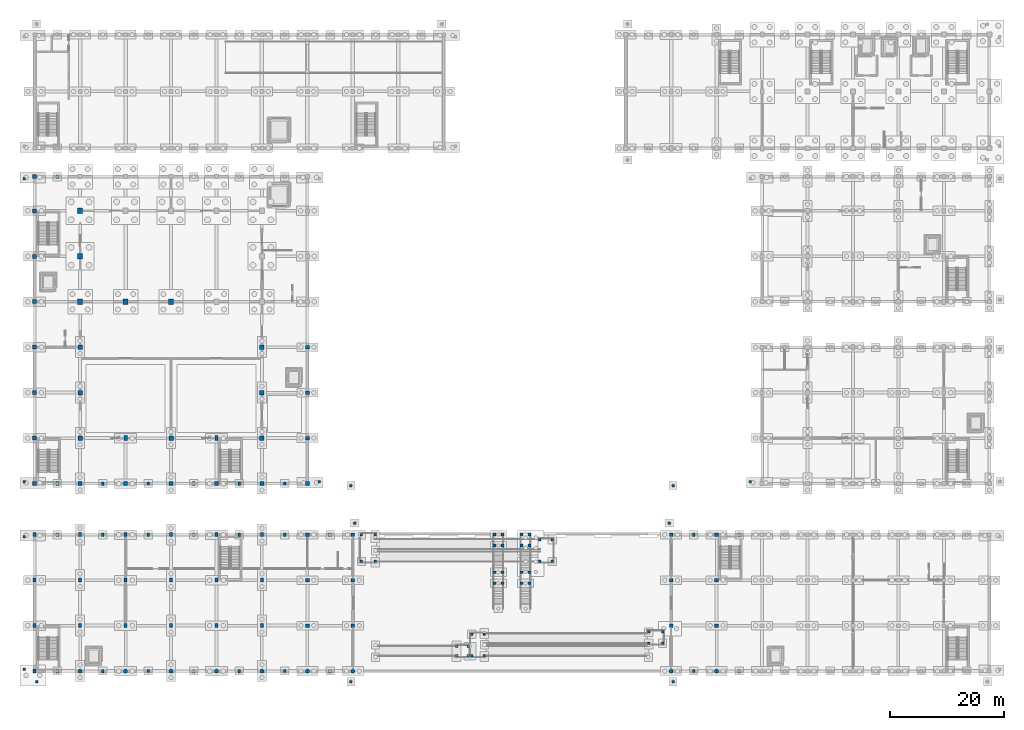
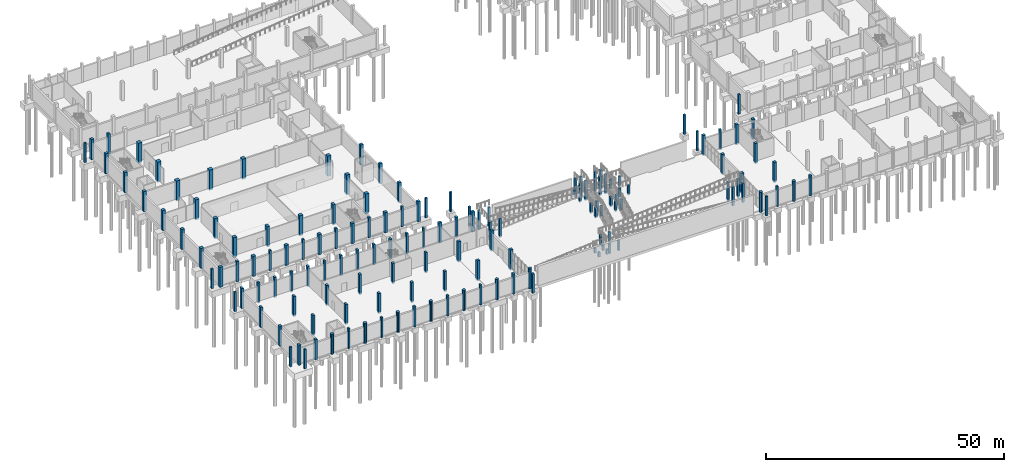
# One storey, part 15 of 52: 145 columns.
"""IFC4 building model written with IfcOpenShell, lengths in metres."""

import ifcopenshell
import ifcopenshell.guid

model = None  # the IFC model being written
_history = None  # IfcOwnerHistory: only IFC2X3 demands one
_inside = {}  # id of a spatial element -> (the spatial element, [elements in it])
_under = {}  # id of a project, library or spatial element -> (it, [spatial elements below it])
_declared = {}  # id of a project -> (the project, [libraries it declares])
_typed = {}  # id of a type object -> (the type object, [elements of that type])
_made_of = {}  # id of a material, layer set ... -> (it, [elements and type objects made of it])


def new_model(schema):
    """Start an empty IFC model of exactly this schema.

    Asked for "IFC4X3", IfcOpenShell would pick the latest addendum, in which some entities
    have other attributes; the version numbers below select the first issue.
    IFC2X3 requires an IfcOwnerHistory on every rooted entity: one is made here for all.
    """
    global model, _history
    if schema == "IFC4X3":
        model = ifcopenshell.file(schema_version=(4, 3, 0, 0))
    else:
        model = ifcopenshell.file(schema=schema)
    _inside.clear()
    _under.clear()
    _declared.clear()
    _typed.clear()
    _made_of.clear()
    _history = None
    if model.schema == "IFC2X3":
        org = make("IfcOrganization", Name="unknown")
        user = make(
            "IfcPersonAndOrganization",
            ThePerson=make("IfcPerson", FamilyName="unknown"),
            TheOrganization=org,
        )
        app = make(
            "IfcApplication",
            ApplicationDeveloper=org,
            Version="unknown",
            ApplicationFullName="unknown",
            ApplicationIdentifier="unknown",
        )
        _history = make(
            "IfcOwnerHistory",
            OwningUser=user,
            OwningApplication=app,
            ChangeAction="ADDED",
            CreationDate=0,
        )
    return model


def make(cls, **values):
    """One entity of the class cls with the attributes given. An attribute that is None is left unset."""
    return model.create_entity(
        cls, **{name: value for name, value in values.items() if value is not None}
    )


def rooted(cls, **values):
    """An entity with a GlobalId (a new one), such as an element, a storey or a relation."""
    return make(cls, GlobalId=ifcopenshell.guid.new(), OwnerHistory=_history, **values)


def si_unit(unit_type, name, prefix=None):
    """IfcSIUnit, for example si_unit("LENGTHUNIT", "METRE", prefix="MILLI")."""
    return make("IfcSIUnit", UnitType=unit_type, Prefix=prefix, Name=name)


def assignment(units):
    """IfcUnitAssignment: the units of a project."""
    return None if units is None else make("IfcUnitAssignment", Units=units)


def point(xyz):
    """IfcCartesianPoint."""
    return None if xyz is None else make("IfcCartesianPoint", Coordinates=xyz)


def direction(xyz):
    """IfcDirection."""
    return None if xyz is None else make("IfcDirection", DirectionRatios=xyz)


def frame(location, z_axis=None, x_axis=None):
    """IfcAxis2Placement3D, a coordinate frame: its origin and axes. An axis left out is left unset."""
    return make(
        "IfcAxis2Placement3D",
        Location=point(location),
        Axis=direction(z_axis),
        RefDirection=direction(x_axis),
    )


def frame_2d(location, x_axis=None):
    """IfcAxis2Placement2D, a coordinate frame in the plane: its origin and x axis."""
    return make(
        "IfcAxis2Placement2D", Location=point(location), RefDirection=direction(x_axis)
    )


def origin():
    """The frame at (0, 0, 0) with its axes left unset."""
    return frame((0.0, 0.0, 0.0))


def origin_2d():
    """The frame at (0, 0) in the plane with its x axis left unset."""
    return frame_2d((0.0, 0.0))


def place(relative_to, where):
    """IfcLocalPlacement: puts the frame where relative to a parent placement (None: the world)."""
    return make(
        "IfcLocalPlacement", PlacementRelTo=relative_to, RelativePlacement=where
    )


def context(
    kind, dimensions, precision=None, world=None, true_north=None, identifier=None
):
    """IfcGeometricRepresentationContext, for example the 3D "Model" context."""
    return make(
        "IfcGeometricRepresentationContext",
        ContextIdentifier=identifier,
        ContextType=kind,
        CoordinateSpaceDimension=dimensions,
        Precision=precision,
        WorldCoordinateSystem=world,
        TrueNorth=true_north,
    )


def subcontext(parent, identifier, kind, view, scale=None):
    """IfcGeometricRepresentationSubContext, for example "Body" below "Model"."""
    return make(
        "IfcGeometricRepresentationSubContext",
        ContextIdentifier=identifier,
        ContextType=kind,
        ParentContext=parent,
        TargetScale=scale,
        TargetView=view,
    )


def project(units=None, contexts=None):
    """IfcProject with its units and contexts."""
    return rooted(
        "IfcProject",
        Name="project",
        RepresentationContexts=contexts,
        UnitsInContext=assignment(units),
    )


def spatial(cls, under=None, at=None, **own):
    """A site, building, storey or space (cls), placed at a placement, below another one or the project."""
    s = rooted(cls, ObjectPlacement=at, **own)
    if under is not None:
        _under.setdefault(under.id(), (under, []))[1].append(s)
    return s


def profile(cls, at=None, kind="AREA", **sizes):
    """A parametric profile (cls). Its sizes go by their IFC names, for example OverallWidth=200.0."""
    return make(cls, ProfileType=kind, Position=at, **sizes)


def rectangle(**sizes):
    """IfcRectangleProfileDef."""
    return profile("IfcRectangleProfileDef", **sizes)


def circle(**sizes):
    """IfcCircleProfileDef."""
    return profile("IfcCircleProfileDef", **sizes)


def extrude(swept, where, along, depth):
    """IfcExtrudedAreaSolid: the profile swept, set in the frame where, extruded along a direction by depth."""
    return make(
        "IfcExtrudedAreaSolid",
        SweptArea=swept,
        Position=where,
        ExtrudedDirection=direction(along),
        Depth=depth,
    )


def shape(context_of_items, identifier, shape_type, items):
    """IfcShapeRepresentation: the items that make up one representation, for example the "Body"."""
    return make(
        "IfcShapeRepresentation",
        ContextOfItems=context_of_items,
        RepresentationIdentifier=identifier,
        RepresentationType=shape_type,
        Items=items,
    )


def material(Name=None, Category=None):
    """IfcMaterial."""
    return make("IfcMaterial", Name=Name, Category=Category)


def material_profile(
    of_material, cross_section, Name=None, Category=None, Priority=None
):
    """IfcMaterialProfile: a cross section and its material."""
    return make(
        "IfcMaterialProfile",
        Name=Name,
        Material=of_material,
        Profile=cross_section,
        Priority=Priority,
        Category=Category,
    )


def profile_set(profiles, Name=None, composite=None):
    """IfcMaterialProfileSet."""
    return make(
        "IfcMaterialProfileSet",
        Name=Name,
        MaterialProfiles=profiles,
        CompositeProfile=composite,
    )


def made_of(thing, what):
    """Note that an element or type object is made of a material, layer set ...; save() writes the relation."""
    if what is not None:
        _made_of.setdefault(what.id(), (what, []))[1].append(thing)
    return thing


def type_object(cls, material=None, **own):
    """A type object (cls), such as IfcWallType, which elements share."""
    return made_of(rooted(cls, **own), material)


def element(
    cls,
    number,
    at=None,
    inside=None,
    cuts=None,
    type_object=None,
    material=None,
    context=None,
    identifier="Body",
    shape_type=None,
    held_by="IfcProductDefinitionShape",
    body=None,
    shapes=None,
    **own,
):
    """One element of the class cls, such as IfcWall. Its Tag is "e" and its number.

    at: its placement. inside: the storey or other place that contains it. cuts: it is an
    opening in that element (IfcRelVoidsElement). A single representation is given by context,
    identifier, shape_type and body (its items); several are given by shapes. held_by: the class
    of the entity that holds the representations. save() writes the other relations.
    """
    e = rooted(cls, Tag="e%d" % number, ObjectPlacement=at, **own)
    if body is not None:
        shapes = [shape(context, identifier, shape_type, body)]
    if shapes is not None:
        e.Representation = make(held_by, Representations=shapes)
    if inside is not None:
        _inside.setdefault(inside.id(), (inside, []))[1].append(e)
    if cuts is not None:
        rooted(
            "IfcRelVoidsElement", RelatingBuildingElement=cuts, RelatedOpeningElement=e
        )
    if type_object is not None:
        _typed.setdefault(type_object.id(), (type_object, []))[1].append(e)
    return made_of(e, material)


def aggregate(whole, parts):
    """IfcRelAggregates: a whole, such as a stair, and the parts it consists of."""
    return rooted("IfcRelAggregates", RelatingObject=whole, RelatedObjects=parts)


def save(model, path):
    """Write the relations noted so far, then the file.

    IfcRelAggregates (storeys below a building ...), IfcRelContainedInSpatialStructure (elements
    in a storey), IfcRelDefinesByType, IfcRelAssociatesMaterial and IfcRelDeclares: one each for
    every whole, place, type object, material and project.
    """
    for whole, parts in _under.values():
        aggregate(whole, parts)
    for where, things in _inside.values():
        rooted(
            "IfcRelContainedInSpatialStructure",
            RelatedElements=things,
            RelatingStructure=where,
        )
    for kind, things in _typed.values():
        rooted("IfcRelDefinesByType", RelatedObjects=things, RelatingType=kind)
    for what, things in _made_of.values():
        rooted("IfcRelAssociatesMaterial", RelatedObjects=things, RelatingMaterial=what)
    for by, libraries in _declared.values():
        rooted("IfcRelDeclares", RelatingContext=by, RelatedDefinitions=libraries)
    model.write(path)


model = new_model("IFC4")

# Units and contexts
model_context = context("Model", 3, precision=1e-05, world=origin(), true_north=direction((0.0, 1.0)))
body_context = subcontext(model_context, "Body", "Model", "MODEL_VIEW")
ifc_project = project(units=[si_unit("LENGTHUNIT", "METRE"), si_unit("AREAUNIT", "SQUARE_METRE"), si_unit("VOLUMEUNIT", "CUBIC_METRE"), si_unit("PLANEANGLEUNIT", "RADIAN"), si_unit("MASSUNIT", "GRAM", prefix="KILO")], contexts=[model_context])

# Site, building, storey
site_placement = place(None, origin())
site = spatial("IfcSite", under=ifc_project, at=site_placement, CompositionType="ELEMENT")
building_placement = place(site_placement, origin())
building = spatial("IfcBuilding", under=site, at=building_placement, Name="Luwemba Playhouse", CompositionType="ELEMENT")
storey_placement = place(building_placement, frame((0.0, 0.0, -4.800048828125)))
storey = spatial("IfcBuildingStorey", under=building, at=storey_placement, Name="B1", CompositionType="ELEMENT", Elevation=-4.800048828125)

# Columns
ifc_material = material(Name="Concrete C40/50", Category="concrete")
ifc_material_profile_1 = material_profile(ifc_material, rectangle(XDim=0.449951171875, YDim=0.449951171875, at=origin_2d()))
ifc_profile_set_1 = profile_set([ifc_material_profile_1], Name="Concrete C40/50")
column_type_1 = type_object("IfcColumnType", Name="COL-C01", PredefinedType="COLUMN", material=ifc_profile_set_1)
for number, where, z_axis, x_axis, name in (
    (1, (4.35009765625, 1.14990234375, -0.3798828125), (0.0, 0.0, 1.0), (1.0, 0.0, 0.0), "Plaza threshold support pier 01-1"),
    (2, (59.64990234375, 1.14990234375, -0.3798828125), (0.0, 0.0, 1.0), (1.0, 0.0, 0.0), "Plaza threshold support pier 01-2"),
    (3, (116.35009765625, 1.14990234375, -0.3798828125), (0.0, 0.0, 1.0), (1.0, 0.0, 0.0), "Plaza threshold support pier 02-1"),
    (4, (2.14990234375, 3.35009765625, -0.3798828125), (0.0, 0.0, 1.0), (1.0, 0.0, 0.0), "Plaza threshold support pier 03-1"),
    (5, (2.14990234375, 26.64990234375, -0.3798828125), (0.0, 0.0, 1.0), (1.0, 0.0, 0.0), "Plaza threshold support pier 03-4"),
    (6, (2.14990234375, 36.35009765625, -0.3798828125), (0.0, 0.0, 1.0), (1.0, 0.0, 0.0), "Plaza threshold support pier 04-1"),
    (7, (2.14990234375, 89.64990234375, -0.3798828125), (0.0, 0.0, 1.0), (1.0, 0.0, 0.0), "Plaza threshold support pier 04-4"),
    (8, (59.64990234375, 35.64990234375, -0.3798828125), (0.0, 0.0, 1.0), (1.0, 0.0, 0.0), "Plaza threshold support pier 12-3"),
    (9, (116.35009765625, 35.64990234375, -0.3798828125), (0.0, 0.0, 1.0), (1.0, 0.0, 0.0), "Plaza threshold support pier 13-4"),
    (10, (54.050048828125, 36.35009765625, -0.3798828125), (0.0, 0.0, 1.0), (1.0, 0.0, 0.0), "Plaza threshold support pier 14-2"),
    (11, (129.949951171875, 36.35009765625, -0.3798828125), (0.0, 0.0, 1.0), (1.0, 0.0, 0.0), "Plaza threshold support pier 15-1"),
    (12, (115.64990234375, 29.050048828125, -0.3798828125), (0.0, 0.0, 1.0), (1.0, 0.0, 0.0), "Plaza threshold support pier 16-3"),
    (13, (60.35009765625, 29.050048828125, -0.3798828125), (0.0, 0.0, 1.0), (1.0, 0.0, 0.0), "Plaza threshold support pier 16-4"),
):
    element("IfcColumn", number, at=place(storey_placement, frame(where, z_axis=z_axis, x_axis=x_axis)), inside=storey, type_object=column_type_1, Name=name, PredefinedType="COLUMN", context=body_context, shape_type="SweptSolid", body=[
        extrude(rectangle(XDim=0.449951171875, YDim=0.449951171875, at=origin_2d()), origin(), (0.0, 0.0, 1.0), 5.02001953125),
    ])
for number, where, z_axis, x_axis, name in (
    (14, (92.89990234375, 22.300048828125, -0.3798828125), (0.0, 0.0, 1.0), (1.0, 0.0, 0.0), "Ramp landing support column RMP-ACC-FC1-1"),
    (15, (95.10009765625, 22.300048828125, -0.3798828125), (0.0, 0.0, 1.0), (1.0, 0.0, 0.0), "Ramp landing support column RMP-ACC-FC1-2"),
    (16, (95.10009765625, 26.10009765625, -0.3798828125), (0.0, 0.0, 1.0), (1.0, 0.0, 0.0), "Ramp landing support column RMP-ACC-FC1-3"),
    (17, (92.89990234375, 26.10009765625, -0.3798828125), (0.0, 0.0, 1.0), (1.0, 0.0, 0.0), "Ramp landing support column RMP-ACC-FC1-4"),
):
    element("IfcColumn", number, at=place(storey_placement, frame(where, z_axis=z_axis, x_axis=x_axis)), inside=storey, type_object=column_type_1, Name=name, PredefinedType="COLUMN", context=body_context, shape_type="SweptSolid", body=[
        extrude(rectangle(XDim=0.449951171875, YDim=0.449951171875, at=origin_2d()), origin(), (0.0, 0.0, 1.0), 2.47998046875),
    ])
for number, where, z_axis, x_axis, name in (
    (18, (61.5, 22.300048828125, -0.3798828125), (0.0, 0.0, 1.0), (1.0, 0.0, 0.0), "Ramp landing support column RMP-ACC-FC2-1"),
    (19, (63.89990234375, 22.300048828125, -0.3798828125), (0.0, 0.0, 1.0), (1.0, 0.0, 0.0), "Ramp landing support column RMP-ACC-FC2-2"),
    (20, (63.89990234375, 27.0, -0.3798828125), (0.0, 0.0, 1.0), (1.0, 0.0, 0.0), "Ramp landing support column RMP-ACC-FC2-3"),
    (21, (61.5, 27.0, -0.3798828125), (0.0, 0.0, 1.0), (1.0, 0.0, 0.0), "Ramp landing support column RMP-ACC-FC2-4"),
):
    element("IfcColumn", number, at=place(storey_placement, frame(where, z_axis=z_axis, x_axis=x_axis)), inside=storey, type_object=column_type_1, Name=name, PredefinedType="COLUMN", context=body_context, shape_type="SweptSolid", body=[
        extrude(rectangle(XDim=0.449951171875, YDim=0.449951171875, at=origin_2d()), origin(), (0.0, 0.0, 1.0), 4.8798828125),
    ])
for number, where, z_axis, x_axis, name in (
    (22, (80.89990234375, 5.699951171875, -0.3798828125), (0.0, 0.0, 1.0), (1.0, 0.0, 0.0), "Ramp landing support column RMP-ACC-FC3-1"),
    (23, (83.10009765625, 5.699951171875, -0.3798828125), (0.0, 0.0, 1.0), (1.0, 0.0, 0.0), "Ramp landing support column RMP-ACC-FC3-2"),
    (24, (83.10009765625, 9.5, -0.3798828125), (0.0, 0.0, 1.0), (1.0, 0.0, 0.0), "Ramp landing support column RMP-ACC-FC3-3"),
    (25, (80.89990234375, 9.5, -0.3798828125), (0.0, 0.0, 1.0), (1.0, 0.0, 0.0), "Ramp landing support column RMP-ACC-FC3-4"),
):
    element("IfcColumn", number, at=place(storey_placement, frame(where, z_axis=z_axis, x_axis=x_axis)), inside=storey, type_object=column_type_1, Name=name, PredefinedType="COLUMN", context=body_context, shape_type="SweptSolid", body=[
        extrude(rectangle(XDim=0.449951171875, YDim=0.449951171875, at=origin_2d()), origin(), (0.0, 0.0, 1.0), 2.47998046875),
    ])
for number, where, z_axis, x_axis, name in (
    (26, (112.10009765625, 7.89990234375, -0.3798828125), (0.0, 0.0, 1.0), (1.0, 0.0, 0.0), "Ramp landing support column RMP-ACC-FC4-1"),
    (27, (114.5, 7.89990234375, -0.3798828125), (0.0, 0.0, 1.0), (1.0, 0.0, 0.0), "Ramp landing support column RMP-ACC-FC4-2"),
    (28, (114.5, 9.89990234375, -0.3798828125), (0.0, 0.0, 1.0), (1.0, 0.0, 0.0), "Ramp landing support column RMP-ACC-FC4-3"),
    (29, (112.10009765625, 9.89990234375, -0.3798828125), (0.0, 0.0, 1.0), (1.0, 0.0, 0.0), "Ramp landing support column RMP-ACC-FC4-4"),
):
    element("IfcColumn", number, at=place(storey_placement, frame(where, z_axis=z_axis, x_axis=x_axis)), inside=storey, type_object=column_type_1, Name=name, PredefinedType="COLUMN", context=body_context, shape_type="SweptSolid", body=[
        extrude(rectangle(XDim=0.449951171875, YDim=0.449951171875, at=origin_2d()), origin(), (0.0, 0.0, 1.0), 4.8798828125),
    ])
for number, where, z_axis, x_axis, name in (
    (30, (78.300048828125, 5.699951171875, -0.3798828125), (0.0, 0.0, 1.0), (1.0, 0.0, 0.0), "Ramp landing support column RMP-ACC-FC5-1"),
    (31, (80.300048828125, 5.699951171875, -0.3798828125), (0.0, 0.0, 1.0), (1.0, 0.0, 0.0), "Ramp landing support column RMP-ACC-FC5-2"),
    (32, (80.300048828125, 7.35009765625, -0.3798828125), (0.0, 0.0, 1.0), (1.0, 0.0, 0.0), "Ramp landing support column RMP-ACC-FC5-3"),
    (33, (78.300048828125, 7.35009765625, -0.3798828125), (0.0, 0.0, 1.0), (1.0, 0.0, 0.0), "Ramp landing support column RMP-ACC-FC5-4"),
):
    element("IfcColumn", number, at=place(storey_placement, frame(where, z_axis=z_axis, x_axis=x_axis)), inside=storey, type_object=column_type_1, Name=name, PredefinedType="COLUMN", context=body_context, shape_type="SweptSolid", body=[
        extrude(rectangle(XDim=0.449951171875, YDim=0.449951171875, at=origin_2d()), origin(), (0.0, 0.0, 1.0), 1.280029296875),
    ])
ifc_material_profile_2 = material_profile(ifc_material, rectangle(XDim=0.5, YDim=0.5, at=origin_2d()))
ifc_profile_set_2 = profile_set([ifc_material_profile_2], Name="Concrete C40/50")
column_type_2 = type_object("IfcColumnType", Name="COL-C02", PredefinedType="COLUMN", material=ifc_profile_set_2)
for number, where, z_axis, x_axis, name in (
    (34, (84.89990234375, 18.449951171875, -0.3798828125), (0.0, 0.0, 1.0), (1.0, 0.0, 0.0), "Forecourt stair ST-11 support column 1"),
    (35, (86.300048828125, 18.449951171875, -0.3798828125), (0.0, 0.0, 1.0), (1.0, 0.0, 0.0), "Forecourt stair ST-11 support column 2"),
    (36, (84.89990234375, 20.39990234375, -0.3798828125), (0.0, 0.0, 1.0), (1.0, 0.0, 0.0), "Forecourt stair ST-11 support column 3"),
    (37, (86.300048828125, 20.39990234375, -0.3798828125), (0.0, 0.0, 1.0), (1.0, 0.0, 0.0), "Forecourt stair ST-11 support column 4"),
):
    element("IfcColumn", number, at=place(storey_placement, frame(where, z_axis=z_axis, x_axis=x_axis)), inside=storey, type_object=column_type_2, Name=name, PredefinedType="COLUMN", context=body_context, shape_type="SweptSolid", body=[
        extrude(rectangle(XDim=0.5, YDim=0.5, at=origin_2d()), origin(), (0.0, 0.0, 1.0), 2.56494140625),
    ])
for number, where, z_axis, x_axis, name in (
    (38, (84.89990234375, 25.10009765625, -0.3798828125), (0.0, 0.0, 1.0), (1.0, 0.0, 0.0), "Forecourt stair ST-11 support column 5"),
    (39, (86.300048828125, 25.10009765625, -0.3798828125), (0.0, 0.0, 1.0), (1.0, 0.0, 0.0), "Forecourt stair ST-11 support column 6"),
    (40, (84.89990234375, 27.050048828125, -0.3798828125), (0.0, 0.0, 1.0), (1.0, 0.0, 0.0), "Forecourt stair ST-11 support column 7"),
    (41, (86.300048828125, 27.050048828125, -0.3798828125), (0.0, 0.0, 1.0), (1.0, 0.0, 0.0), "Forecourt stair ST-11 support column 8"),
):
    element("IfcColumn", number, at=place(storey_placement, frame(where, z_axis=z_axis, x_axis=x_axis)), inside=storey, type_object=column_type_2, Name=name, PredefinedType="COLUMN", context=body_context, shape_type="SweptSolid", body=[
        extrude(rectangle(XDim=0.5, YDim=0.5, at=origin_2d()), origin(), (0.0, 0.0, 1.0), 4.96484375),
    ])
for number, where, z_axis, x_axis, name in (
    (42, (89.699951171875, 18.449951171875, -0.3798828125), (0.0, 0.0, 1.0), (1.0, 0.0, 0.0), "Forecourt stair ST-12 support column 1"),
    (43, (91.10009765625, 18.449951171875, -0.3798828125), (0.0, 0.0, 1.0), (1.0, 0.0, 0.0), "Forecourt stair ST-12 support column 2"),
    (44, (89.699951171875, 20.39990234375, -0.3798828125), (0.0, 0.0, 1.0), (1.0, 0.0, 0.0), "Forecourt stair ST-12 support column 3"),
    (45, (91.10009765625, 20.39990234375, -0.3798828125), (0.0, 0.0, 1.0), (1.0, 0.0, 0.0), "Forecourt stair ST-12 support column 4"),
):
    element("IfcColumn", number, at=place(storey_placement, frame(where, z_axis=z_axis, x_axis=x_axis)), inside=storey, type_object=column_type_2, Name=name, PredefinedType="COLUMN", context=body_context, shape_type="SweptSolid", body=[
        extrude(rectangle(XDim=0.5, YDim=0.5, at=origin_2d()), origin(), (0.0, 0.0, 1.0), 2.56494140625),
    ])
for number, where, z_axis, x_axis, name in (
    (46, (89.699951171875, 25.10009765625, -0.3798828125), (0.0, 0.0, 1.0), (1.0, 0.0, 0.0), "Forecourt stair ST-12 support column 5"),
    (47, (91.10009765625, 25.10009765625, -0.3798828125), (0.0, 0.0, 1.0), (1.0, 0.0, 0.0), "Forecourt stair ST-12 support column 6"),
    (48, (89.699951171875, 27.050048828125, -0.3798828125), (0.0, 0.0, 1.0), (1.0, 0.0, 0.0), "Forecourt stair ST-12 support column 7"),
    (49, (91.10009765625, 27.050048828125, -0.3798828125), (0.0, 0.0, 1.0), (1.0, 0.0, 0.0), "Forecourt stair ST-12 support column 8"),
):
    element("IfcColumn", number, at=place(storey_placement, frame(where, z_axis=z_axis, x_axis=x_axis)), inside=storey, type_object=column_type_2, Name=name, PredefinedType="COLUMN", context=body_context, shape_type="SweptSolid", body=[
        extrude(rectangle(XDim=0.5, YDim=0.5, at=origin_2d()), origin(), (0.0, 0.0, 1.0), 4.96484375),
    ])
ifc_material_profile_3 = material_profile(ifc_material, rectangle(XDim=0.64990234375, YDim=0.64990234375, at=origin_2d()))
ifc_profile_set_3 = profile_set([ifc_material_profile_3], Name="Concrete C40/50")
column_type_3 = type_object("IfcColumnType", Name="COL-C05", PredefinedType="COLUMN", material=ifc_profile_set_3)
for number, where, z_axis, x_axis, name in (
    (50, (52.0, 11.0, -0.3798828125), (0.0, 0.0, 1.0), (1.0, 0.0, 0.0), "B1 column 113"),
    (51, (52.0, 19.0, -0.3798828125), (0.0, 0.0, 1.0), (1.0, 0.0, 0.0), "B1 column 114"),
    (52, (52.0, 27.0, -0.3798828125), (0.0, 0.0, 1.0), (1.0, 0.0, 0.0), "B1 column 115"),
    (53, (52.0, 36.0, -0.3798828125), (0.0, 0.0, 1.0), (1.0, 0.0, 0.0), "B1 column 116"),
    (54, (52.0, 44.0, -0.3798828125), (0.0, 0.0, 1.0), (1.0, 0.0, 0.0), "B1 column 117"),
    (55, (52.0, 52.0, -0.3798828125), (0.0, 0.0, 1.0), (1.0, 0.0, 0.0), "B1 column 118"),
    (56, (52.0, 60.0, -0.3798828125), (0.0, 0.0, 1.0), (1.0, 0.0, 0.0), "B1 column 119"),
    (57, (60.0, 11.0, -0.3798828125), (0.0, 0.0, 1.0), (1.0, 0.0, 0.0), "B1 column 131"),
    (58, (60.0, 19.0, -0.3798828125), (0.0, 0.0, 1.0), (1.0, 0.0, 0.0), "B1 column 132"),
    (59, (60.0, 27.0, -0.3798828125), (0.0, 0.0, 1.0), (1.0, 0.0, 0.0), "B1 column 133"),
    (60, (116.0, 11.0, -0.3798828125), (0.0, 0.0, 1.0), (1.0, 0.0, 0.0), "B1 column 151"),
    (61, (116.0, 19.0, -0.3798828125), (0.0, 0.0, 1.0), (1.0, 0.0, 0.0), "B1 column 152"),
    (62, (116.0, 27.0, -0.3798828125), (0.0, 0.0, 1.0), (1.0, 0.0, 0.0), "B1 column 153"),
    (63, (124.0, 11.0, -0.3798828125), (0.0, 0.0, 1.0), (1.0, 0.0, 0.0), "B1 column 162"),
    (64, (124.0, 19.0, -0.3798828125), (0.0, 0.0, 1.0), (1.0, 0.0, 0.0), "B1 column 163"),
    (65, (124.0, 27.0, -0.3798828125), (0.0, 0.0, 1.0), (1.0, 0.0, 0.0), "B1 column 164"),
):
    element("IfcColumn", number, at=place(storey_placement, frame(where, z_axis=z_axis, x_axis=x_axis)), inside=storey, type_object=column_type_3, Name=name, PredefinedType="COLUMN", context=body_context, shape_type="SweptSolid", body=[
        extrude(rectangle(XDim=0.64990234375, YDim=0.64990234375, at=origin_2d()), origin(), (0.0, 0.0, 1.0), 5.179931640625),
    ])
ifc_material_profile_4 = material_profile(ifc_material, rectangle(XDim=0.699951171875, YDim=0.699951171875, at=origin_2d()))
ifc_profile_set_4 = profile_set([ifc_material_profile_4], Name="Concrete C40/50")
column_type_4 = type_object("IfcColumnType", Name="COL-C06", PredefinedType="COLUMN", material=ifc_profile_set_4)
for number, where, z_axis, x_axis, name in (
    (66, (4.0, 36.0, -0.3798828125), (0.0, 0.0, 1.0), (1.0, 0.0, 0.0), "B1 column 005"),
    (67, (4.0, 44.0, -0.3798828125), (0.0, 0.0, 1.0), (1.0, 0.0, 0.0), "B1 column 006"),
    (68, (4.0, 52.0, -0.3798828125), (0.0, 0.0, 1.0), (1.0, 0.0, 0.0), "B1 column 007"),
    (69, (4.0, 60.0, -0.3798828125), (0.0, 0.0, 1.0), (1.0, 0.0, 0.0), "B1 column 008"),
    (70, (4.0, 68.0, -0.3798828125), (0.0, 0.0, 1.0), (1.0, 0.0, 0.0), "B1 column 009"),
    (71, (4.0, 76.0, -0.3798828125), (0.0, 0.0, 1.0), (1.0, 0.0, 0.0), "B1 column 010"),
    (72, (4.0, 84.0, -0.3798828125), (0.0, 0.0, 1.0), (1.0, 0.0, 0.0), "B1 column 011"),
    (73, (4.0, 90.0, -0.3798828125), (0.0, 0.0, 1.0), (1.0, 0.0, 0.0), "B1 column 012"),
    (74, (12.0, 36.0, -0.3798828125), (0.0, 0.0, 1.0), (1.0, 0.0, 0.0), "B1 column 026"),
    (75, (20.0, 36.0, -0.3798828125), (0.0, 0.0, 1.0), (1.0, 0.0, 0.0), "B1 column 045"),
    (76, (28.0, 36.0, -0.3798828125), (0.0, 0.0, 1.0), (1.0, 0.0, 0.0), "B1 column 061"),
    (77, (36.0, 36.0, -0.3798828125), (0.0, 0.0, 1.0), (1.0, 0.0, 0.0), "B1 column 079"),
    (78, (44.0, 36.0, -0.3798828125), (0.0, 0.0, 1.0), (1.0, 0.0, 0.0), "B1 column 096"),
):
    element("IfcColumn", number, at=place(storey_placement, frame(where, z_axis=z_axis, x_axis=x_axis)), inside=storey, type_object=column_type_4, Name=name, PredefinedType="COLUMN", context=body_context, shape_type="SweptSolid", body=[
        extrude(rectangle(XDim=0.699951171875, YDim=0.699951171875, at=origin_2d()), origin(), (0.0, 0.0, 1.0), 5.179931640625),
    ])
ifc_material_profile_5 = material_profile(ifc_material, rectangle(XDim=0.800048828125, YDim=0.800048828125, at=origin_2d()))
ifc_profile_set_5 = profile_set([ifc_material_profile_5], Name="Concrete C40/50")
column_type_5 = type_object("IfcColumnType", Name="COL-C08", PredefinedType="COLUMN", material=ifc_profile_set_5)
for number, where, z_axis, x_axis, name in (
    (79, (12.0, 44.0, -0.3798828125), (0.0, 0.0, 1.0), (1.0, 0.0, 0.0), "B1 column 027"),
    (80, (12.0, 52.0, -0.3798828125), (0.0, 0.0, 1.0), (1.0, 0.0, 0.0), "B1 column 028"),
    (81, (12.0, 60.0, -0.3798828125), (0.0, 0.0, 1.0), (1.0, 0.0, 0.0), "B1 column 029"),
    (82, (28.0, 44.0, -0.3798828125), (0.0, 0.0, 1.0), (1.0, 0.0, 0.0), "B1 column 062"),
    (83, (44.0, 44.0, -0.3798828125), (0.0, 0.0, 1.0), (1.0, 0.0, 0.0), "B1 column 097"),
    (84, (44.0, 52.0, -0.3798828125), (0.0, 0.0, 1.0), (1.0, 0.0, 0.0), "B1 column 098"),
    (85, (44.0, 60.0, -0.3798828125), (0.0, 0.0, 1.0), (1.0, 0.0, 0.0), "B1 column 099"),
):
    element("IfcColumn", number, at=place(storey_placement, frame(where, z_axis=z_axis, x_axis=x_axis)), inside=storey, type_object=column_type_5, Name=name, PredefinedType="COLUMN", context=body_context, shape_type="SweptSolid", body=[
        extrude(rectangle(XDim=0.800048828125, YDim=0.800048828125, at=origin_2d()), origin(), (0.0, 0.0, 1.0), 5.179931640625),
    ])
ifc_material_profile_6 = material_profile(ifc_material, rectangle(XDim=0.89990234375, YDim=0.89990234375, at=origin_2d()))
ifc_profile_set_6 = profile_set([ifc_material_profile_6], Name="Concrete C40/50")
column_type_6 = type_object("IfcColumnType", Name="COL-C10", PredefinedType="COLUMN", material=ifc_profile_set_6)
for number, where, z_axis, x_axis, name in (
    (86, (12.0, 68.0, -0.3798828125), (0.0, 0.0, 1.0), (1.0, 0.0, 0.0), "B1 column 030"),
    (87, (12.0, 76.0, -0.3798828125), (0.0, 0.0, 1.0), (1.0, 0.0, 0.0), "B1 column 031"),
    (88, (12.0, 84.0, -0.3798828125), (0.0, 0.0, 1.0), (1.0, 0.0, 0.0), "B1 column 032"),
    (89, (20.0, 68.0, -0.3798828125), (0.0, 0.0, 1.0), (1.0, 0.0, 0.0), "B1 column 047"),
    (90, (28.0, 68.0, -0.3798828125), (0.0, 0.0, 1.0), (1.0, 0.0, 0.0), "B1 column 063"),
):
    element("IfcColumn", number, at=place(storey_placement, frame(where, z_axis=z_axis, x_axis=x_axis)), inside=storey, type_object=column_type_6, Name=name, PredefinedType="COLUMN", context=body_context, shape_type="SweptSolid", body=[
        extrude(rectangle(XDim=0.89990234375, YDim=0.89990234375, at=origin_2d()), origin(), (0.0, 0.0, 1.0), 5.179931640625),
    ])
ifc_material_profile_7 = material_profile(ifc_material, rectangle(XDim=0.5, YDim=0.699951171875, at=origin_2d()))
ifc_profile_set_7 = profile_set([ifc_material_profile_7], Name="Concrete C40/50")
column_type_7 = type_object("IfcColumnType", Name="COL-C11", PredefinedType="COLUMN", material=ifc_profile_set_7)
for number, where, z_axis, x_axis, name in (
    (91, (4.0, 3.0, -0.3798828125), (0.0, 0.0, 1.0), (1.0, 0.0, 0.0), "B1 column 001"),
    (92, (4.0, 11.0, -0.3798828125), (0.0, 0.0, 1.0), (1.0, 0.0, 0.0), "B1 column 002"),
    (93, (4.0, 19.0, -0.3798828125), (0.0, 0.0, 1.0), (1.0, 0.0, 0.0), "B1 column 003"),
    (94, (4.0, 27.0, -0.3798828125), (0.0, 0.0, 1.0), (1.0, 0.0, 0.0), "B1 column 004"),
    (95, (12.0, 11.0, -0.3798828125), (0.0, 0.0, 1.0), (1.0, 0.0, 0.0), "B1 column 023"),
    (96, (12.0, 19.0, -0.3798828125), (0.0, 0.0, 1.0), (1.0, 0.0, 0.0), "B1 column 024"),
    (97, (12.0, 27.0, -0.3798828125), (0.0, 0.0, 1.0), (1.0, 0.0, 0.0), "B1 column 025"),
    (98, (20.0, 11.0, -0.3798828125), (0.0, 0.0, 1.0), (1.0, 0.0, 0.0), "B1 column 042"),
    (99, (20.0, 19.0, -0.3798828125), (0.0, 0.0, 1.0), (1.0, 0.0, 0.0), "B1 column 043"),
    (100, (20.0, 27.0, -0.3798828125), (0.0, 0.0, 1.0), (1.0, 0.0, 0.0), "B1 column 044"),
    (101, (28.0, 11.0, -0.3798828125), (0.0, 0.0, 1.0), (1.0, 0.0, 0.0), "B1 column 058"),
    (102, (28.0, 19.0, -0.3798828125), (0.0, 0.0, 1.0), (1.0, 0.0, 0.0), "B1 column 059"),
    (103, (28.0, 27.0, -0.3798828125), (0.0, 0.0, 1.0), (1.0, 0.0, 0.0), "B1 column 060"),
    (104, (36.0, 11.0, -0.3798828125), (0.0, 0.0, 1.0), (1.0, 0.0, 0.0), "B1 column 076"),
    (105, (36.0, 19.0, -0.3798828125), (0.0, 0.0, 1.0), (1.0, 0.0, 0.0), "B1 column 077"),
    (106, (36.0, 27.0, -0.3798828125), (0.0, 0.0, 1.0), (1.0, 0.0, 0.0), "B1 column 078"),
    (107, (44.0, 11.0, -0.3798828125), (0.0, 0.0, 1.0), (1.0, 0.0, 0.0), "B1 column 093"),
    (108, (44.0, 19.0, -0.3798828125), (0.0, 0.0, 1.0), (1.0, 0.0, 0.0), "B1 column 094"),
    (109, (44.0, 27.0, -0.3798828125), (0.0, 0.0, 1.0), (1.0, 0.0, 0.0), "B1 column 095"),
):
    element("IfcColumn", number, at=place(storey_placement, frame(where, z_axis=z_axis, x_axis=x_axis)), inside=storey, type_object=column_type_7, Name=name, PredefinedType="COLUMN", context=body_context, shape_type="SweptSolid", body=[
        extrude(rectangle(XDim=0.5, YDim=0.699951171875, at=origin_2d()), origin(), (0.0, 0.0, 1.0), 5.179931640625),
    ])
ifc_material_profile_8 = material_profile(ifc_material, rectangle(XDim=0.60009765625, YDim=0.89990234375, at=origin_2d()))
ifc_profile_set_8 = profile_set([ifc_material_profile_8], Name="Concrete C40/50")
column_type_8 = type_object("IfcColumnType", Name="COL-C13", PredefinedType="COLUMN", material=ifc_profile_set_8)
for number, where, z_axis, x_axis, name in (
    (110, (20.0, 44.0, -0.3798828125), (0.0, 0.0, 1.0), (1.0, 0.0, 0.0), "B1 column 046"),
    (111, (36.0, 44.0, -0.3798828125), (0.0, 0.0, 1.0), (1.0, 0.0, 0.0), "B1 column 080"),
):
    element("IfcColumn", number, at=place(storey_placement, frame(where, z_axis=z_axis, x_axis=x_axis)), inside=storey, type_object=column_type_8, Name=name, PredefinedType="COLUMN", context=body_context, shape_type="SweptSolid", body=[
        extrude(rectangle(XDim=0.60009765625, YDim=0.89990234375, at=origin_2d()), origin(), (0.0, 0.0, 1.0), 5.179931640625),
    ])
ifc_material_profile_9 = material_profile(ifc_material, circle(Radius=0.375, at=origin_2d()))
ifc_profile_set_9 = profile_set([ifc_material_profile_9], Name="Concrete C40/50")
column_type_9 = type_object("IfcColumnType", Name="COL-C15", PredefinedType="COLUMN", material=ifc_profile_set_9)
for number, where, z_axis, x_axis, name in (
    (112, (12.0, 3.0, -0.3798828125), (0.0, 0.0, 1.0), (1.0, 0.0, 0.0), "B1 column 022"),
    (113, (20.0, 3.0, -0.3798828125), (0.0, 0.0, 1.0), (1.0, 0.0, 0.0), "B1 column 041"),
    (114, (28.0, 3.0, -0.3798828125), (0.0, 0.0, 1.0), (1.0, 0.0, 0.0), "B1 column 057"),
    (115, (36.0, 3.0, -0.3798828125), (0.0, 0.0, 1.0), (1.0, 0.0, 0.0), "B1 column 075"),
    (116, (44.0, 3.0, -0.3798828125), (0.0, 0.0, 1.0), (1.0, 0.0, 0.0), "B1 column 092"),
    (117, (52.0, 3.0, -0.3798828125), (0.0, 0.0, 1.0), (1.0, 0.0, 0.0), "B1 column 112"),
    (118, (60.0, 3.0, -0.3798828125), (0.0, 0.0, 1.0), (1.0, 0.0, 0.0), "B1 column 130"),
    (119, (116.0, 3.0, -0.3798828125), (0.0, 0.0, 1.0), (1.0, 0.0, 0.0), "B1 column 150"),
    (120, (124.0, 3.0, -0.3798828125), (0.0, 0.0, 1.0), (1.0, 0.0, 0.0), "B1 column 161"),
):
    element("IfcColumn", number, at=place(storey_placement, frame(where, z_axis=z_axis, x_axis=x_axis)), inside=storey, type_object=column_type_9, Name=name, PredefinedType="COLUMN", context=body_context, shape_type="SweptSolid", body=[
        extrude(circle(Radius=0.375, at=origin_2d()), origin(), (0.0, 0.0, 1.0), 5.179931640625),
    ])
ifc_material_profile_10 = material_profile(ifc_material, rectangle(XDim=0.39990234375, YDim=0.550048828125, at=origin_2d()))
ifc_profile_set_10 = profile_set([ifc_material_profile_10], Name="Concrete C40/50")
column_type_10 = type_object("IfcColumnType", Name="COL-PIL1", PredefinedType="PILASTER", material=ifc_profile_set_10)
for number, where, z_axis, x_axis, name in (
    (121, (24.0, 3.0, -0.3798828125), (0.0, 0.0, 1.0), (1.0, 0.0, 0.0), "B1 column 053"),
    (122, (24.0, 27.0, -0.3798828125), (0.0, 0.0, 1.0), (1.0, 0.0, 0.0), "B1 column 054"),
    (123, (24.0, 36.0, -0.3798828125), (0.0, 0.0, 1.0), (1.0, 0.0, 0.0), "B1 column 055"),
    (124, (48.0, 3.0, -0.3798828125), (0.0, 0.0, 1.0), (1.0, 0.0, 0.0), "B1 column 107"),
    (125, (48.0, 27.0, -0.3798828125), (0.0, 0.0, 1.0), (1.0, 0.0, 0.0), "B1 column 108"),
    (126, (48.0, 36.0, -0.3798828125), (0.0, 0.0, 1.0), (1.0, 0.0, 0.0), "B1 column 109"),
    (127, (120.0, 3.0, -0.3798828125), (0.0, 0.0, 1.0), (1.0, 0.0, 0.0), "B1 column 157"),
    (128, (120.0, 27.0, -0.3798828125), (0.0, 0.0, 1.0), (1.0, 0.0, 0.0), "B1 column 158"),
):
    element("IfcColumn", number, at=place(storey_placement, frame(where, z_axis=z_axis, x_axis=x_axis)), inside=storey, type_object=column_type_10, Name=name, PredefinedType="PILASTER", context=body_context, shape_type="SweptSolid", body=[
        extrude(rectangle(XDim=0.39990234375, YDim=0.550048828125, at=origin_2d()), origin(), (0.0, 0.0, 1.0), 5.179931640625),
    ])
ifc_material_profile_11 = material_profile(ifc_material, rectangle(XDim=0.449951171875, YDim=0.60009765625, at=origin_2d()))
ifc_profile_set_11 = profile_set([ifc_material_profile_11], Name="Concrete C40/50")
column_type_11 = type_object("IfcColumnType", Name="COL-PIL2", PredefinedType="PILASTER", material=ifc_profile_set_11)
for number, where, z_axis, x_axis, name in (
    (129, (16.0, 3.0, -0.3798828125), (0.0, 0.0, 1.0), (1.0, 0.0, 0.0), "B1 column 037"),
    (130, (16.0, 27.0, -0.3798828125), (0.0, 0.0, 1.0), (1.0, 0.0, 0.0), "B1 column 038"),
    (131, (16.0, 36.0, -0.3798828125), (0.0, 0.0, 1.0), (1.0, 0.0, 0.0), "B1 column 039"),
    (132, (40.0, 3.0, -0.3798828125), (0.0, 0.0, 1.0), (1.0, 0.0, 0.0), "B1 column 087"),
    (133, (40.0, 27.0, -0.3798828125), (0.0, 0.0, 1.0), (1.0, 0.0, 0.0), "B1 column 088"),
    (134, (40.0, 36.0, -0.3798828125), (0.0, 0.0, 1.0), (1.0, 0.0, 0.0), "B1 column 089"),
):
    element("IfcColumn", number, at=place(storey_placement, frame(where, z_axis=z_axis, x_axis=x_axis)), inside=storey, type_object=column_type_11, Name=name, PredefinedType="PILASTER", context=body_context, shape_type="SweptSolid", body=[
        extrude(rectangle(XDim=0.449951171875, YDim=0.60009765625, at=origin_2d()), origin(), (0.0, 0.0, 1.0), 5.179931640625),
    ])
ifc_material_profile_12 = material_profile(ifc_material, rectangle(XDim=0.5, YDim=0.64990234375, at=origin_2d()))
ifc_profile_set_12 = profile_set([ifc_material_profile_12], Name="Concrete C40/50")
column_type_12 = type_object("IfcColumnType", Name="COL-PIL3", PredefinedType="PILASTER", material=ifc_profile_set_12)
for number, where, z_axis, x_axis, name in (
    (135, (8.0, 3.0, -0.3798828125), (0.0, 0.0, 1.0), (1.0, 0.0, 0.0), "B1 column 016"),
    (136, (8.0, 27.0, -0.3798828125), (0.0, 0.0, 1.0), (1.0, 0.0, 0.0), "B1 column 017"),
    (137, (8.0, 36.0, -0.3798828125), (0.0, 0.0, 1.0), (1.0, 0.0, 0.0), "B1 column 018"),
    (138, (8.0, 90.0, -0.3798828125), (0.0, 0.0, 1.0), (1.0, 0.0, 0.0), "B1 column 019"),
    (139, (32.0, 3.0, -0.3798828125), (0.0, 0.0, 1.0), (1.0, 0.0, 0.0), "B1 column 069"),
    (140, (32.0, 27.0, -0.3798828125), (0.0, 0.0, 1.0), (1.0, 0.0, 0.0), "B1 column 070"),
    (141, (32.0, 36.0, -0.3798828125), (0.0, 0.0, 1.0), (1.0, 0.0, 0.0), "B1 column 071"),
    (142, (56.0, 3.0, -0.3798828125), (0.0, 0.0, 1.0), (1.0, 0.0, 0.0), "B1 column 127"),
    (143, (56.0, 27.0, -0.3798828125), (0.0, 0.0, 1.0), (1.0, 0.0, 0.0), "B1 column 128"),
    (144, (128.0, 3.0, -0.3798828125), (0.0, 0.0, 1.0), (1.0, 0.0, 0.0), "B1 column 168"),
    (145, (128.0, 27.0, -0.3798828125), (0.0, 0.0, 1.0), (1.0, 0.0, 0.0), "B1 column 169"),
):
    element("IfcColumn", number, at=place(storey_placement, frame(where, z_axis=z_axis, x_axis=x_axis)), inside=storey, type_object=column_type_12, Name=name, PredefinedType="PILASTER", context=body_context, shape_type="SweptSolid", body=[
        extrude(rectangle(XDim=0.5, YDim=0.64990234375, at=origin_2d()), origin(), (0.0, 0.0, 1.0), 5.179931640625),
    ])

save(model, "model.ifc")
